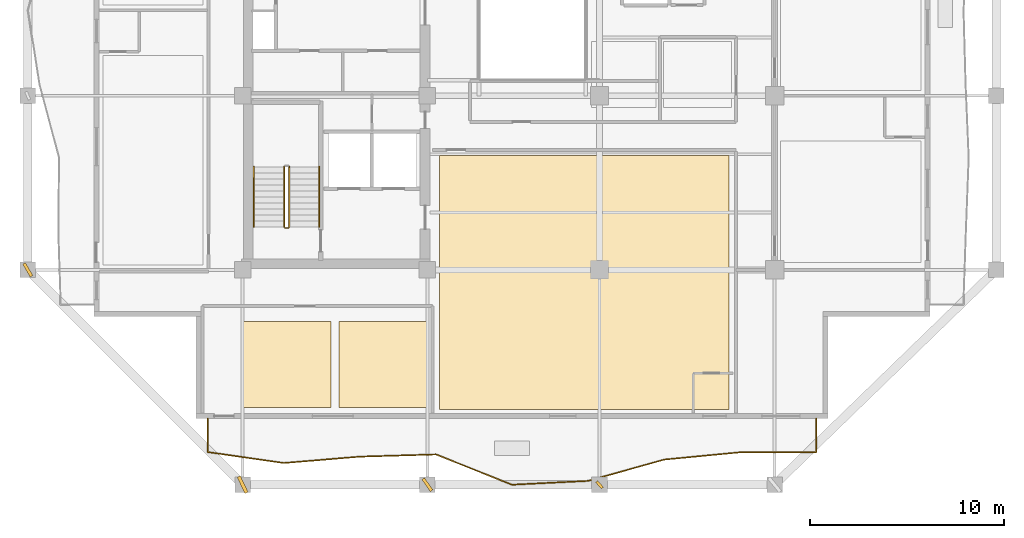
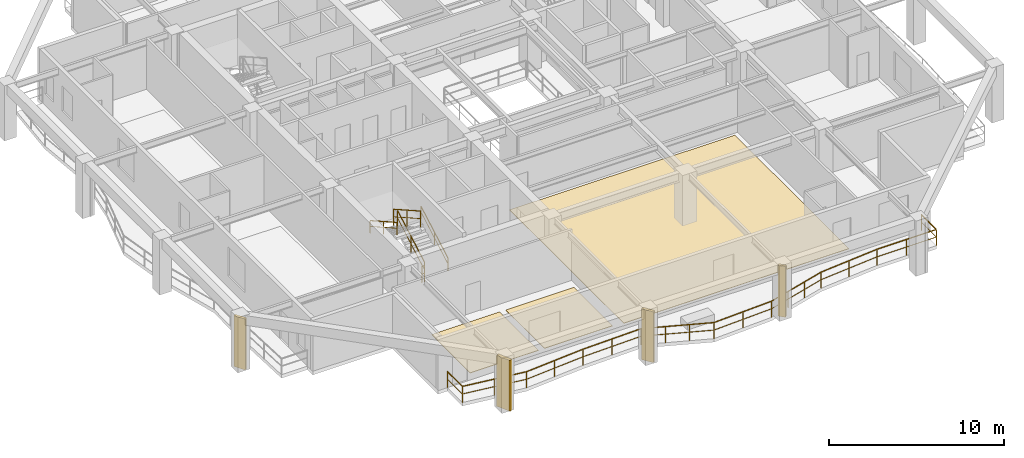
# One storey, part 7 of 12: 6 railings, 4 shading devices, 3 coverings.
"""IFC4 building model written with IfcOpenShell, lengths in metres."""

from ifc_helpers import new_model, si_unit, direction, frame, origin, origin_2d, place, context, subcontext, project, spatial, polyline, rectangle, outline, extrude, material, layer, layer_set, type_object, element, save


model = new_model("IFC4")

# Units and contexts
model_context = context("Model", 3, precision=1e-05, world=origin(), true_north=direction((0.0, 1.0)))
body_context = subcontext(model_context, "Body", "Model", "MODEL_VIEW")
ifc_project = project(units=[si_unit("LENGTHUNIT", "METRE"), si_unit("AREAUNIT", "SQUARE_METRE"), si_unit("VOLUMEUNIT", "CUBIC_METRE"), si_unit("PLANEANGLEUNIT", "RADIAN"), si_unit("MASSUNIT", "GRAM", prefix="KILO")], contexts=[model_context])

# Site, building, storey
site_placement = place(None, origin())
site = spatial("IfcSite", under=ifc_project, at=site_placement, CompositionType="ELEMENT")
building_placement = place(site_placement, origin())
building = spatial("IfcBuilding", under=site, at=building_placement, Name="Kundavana Baori Tower", CompositionType="ELEMENT")
storey_placement = place(building_placement, frame((0.0, 0.0, 200.25)))
storey = spatial("IfcBuildingStorey", under=building, at=storey_placement, Name="L49", CompositionType="ELEMENT", Elevation=200.25)

# Coverings
ifc_material_1 = material(Name="Honed Kota Stone and Terrazzo Flooring", Category="masonry")
ifc_layer = layer(ifc_material_1, 0.030029296875, Name="COV-INT-FLR")
ifc_layer_set = layer_set([ifc_layer], Name="Honed Kota Stone and Terrazzo Flooring")
covering_type = type_object("IfcCoveringType", Name="COV-INT-FLR", PredefinedType="FLOORING", material=ifc_layer_set)
covering_1_placement = place(storey_placement, origin())
element("IfcCovering", 1, at=covering_1_placement, inside=storey, type_object=covering_type, Name="L49 Room Finished Stone Flooring 3", PredefinedType="FLOORING", context=body_context, shape_type="SweptSolid", body=[
    extrude(outline(polyline([(25.580078125, 8.080078125), (40.4599609375, 8.080078125), (40.4599609375, 21.139892578125), (25.580078125, 21.139892578125), (25.580078125, 8.080078125)])), origin(), (0.0, 0.0, 1.0), 0.030029296875),
])
covering_2_placement = place(storey_placement, origin())
element("IfcCovering", 2, at=covering_2_placement, inside=storey, type_object=covering_type, Name="L49 Room Finished Stone Flooring 9", PredefinedType="FLOORING", context=body_context, shape_type="SweptSolid", body=[
    extrude(outline(polyline([(15.5, 8.179931640625), (20.0, 8.179931640625), (20.0, 12.60009765625), (15.5, 12.60009765625), (15.5, 8.179931640625)])), origin(), (0.0, 0.0, 1.0), 0.030029296875),
])
covering_3_placement = place(storey_placement, origin())
element("IfcCovering", 3, at=covering_3_placement, inside=storey, type_object=covering_type, Name="L49 Room Finished Stone Flooring 10", PredefinedType="FLOORING", context=body_context, shape_type="SweptSolid", body=[
    extrude(outline(polyline([(20.39990234375, 8.179931640625), (24.89990234375, 8.179931640625), (24.89990234375, 12.60009765625), (20.39990234375, 12.60009765625), (20.39990234375, 8.179931640625)])), origin(), (0.0, 0.0, 1.0), 0.030029296875),
])

# Railings
ifc_material_2 = material(Name="Architectural Patinated Bronze Metalwork")
railing_type_1 = type_object("IfcRailingType", Name="RL-BAL-1150", PredefinedType="BALUSTRADE", material=ifc_material_2)
railing_1_placement = place(storey_placement, frame((44.949951171875, 7.60009765625, 0.0)))
element("IfcRailing", 4, at=railing_1_placement, inside=storey, type_object=railing_type_1, Name="L49 Loggia Balcony Balustrade S", PredefinedType="BALUSTRADE", context=body_context, shape_type="SweptSolid", body=[
    extrude(rectangle(XDim=0.048095703125, YDim=0.048095703125, at=origin_2d()), frame((0.0, 0.0, 1.1259765625), z_axis=(0.0, -1.0, 0.0), x_axis=(1.0, 0.0, 0.0)), (0.0, 0.0, 1.0), 1.72021484375),
    extrude(rectangle(XDim=0.03125, YDim=0.03125, at=origin_2d()), frame((0.0, 0.0, 0.597900390625), z_axis=(0.0, -1.0, 0.0), x_axis=(1.0, 0.0, 0.0)), (0.0, 0.0, 1.0), 1.72021484375),
    extrude(rectangle(XDim=0.048095703125, YDim=0.048095703125, at=origin_2d()), frame((0.0, -1.72021484375, 1.1259765625), z_axis=(-0.999994529456, -0.003307727021, 0.0), x_axis=(0.003307727021, -0.999994529456, 0.0)), (0.0, 0.0, 1.0), 3.911865234375),
    extrude(rectangle(XDim=0.03125, YDim=0.03125, at=origin_2d()), frame((0.0, -1.72021484375, 0.597900390625), z_axis=(-0.999994529456, -0.003307727021, 0.0), x_axis=(0.003307727021, -0.999994529456, 0.0)), (0.0, 0.0, 1.0), 3.911865234375),
    extrude(rectangle(XDim=0.048095703125, YDim=0.048095703125, at=origin_2d()), frame((-3.911865234375, -1.733154296875, 1.1259765625), z_axis=(-0.995439474147, -0.095395247834, 0.0), x_axis=(0.095395247834, -0.995439474147, 0.0)), (0.0, 0.0, 1.0), 3.930908203125),
    extrude(rectangle(XDim=0.03125, YDim=0.03125, at=origin_2d()), frame((-3.911865234375, -1.733154296875, 0.597900390625), z_axis=(-0.995439474147, -0.095395247834, 0.0), x_axis=(0.095395247834, -0.995439474147, 0.0)), (0.0, 0.0, 1.0), 3.930908203125),
    extrude(rectangle(XDim=0.048095703125, YDim=0.048095703125, at=origin_2d()), frame((-7.824951171875, -2.108154296875, 1.1259765625), z_axis=(-0.962990853418, -0.26953407249, 0.0), x_axis=(0.26953407249, -0.962990853418, 0.0)), (0.0, 0.0, 1.0), 4.0625),
    extrude(rectangle(XDim=0.03125, YDim=0.03125, at=origin_2d()), frame((-7.824951171875, -2.108154296875, 0.597900390625), z_axis=(-0.962990853418, -0.26953407249, 0.0), x_axis=(0.26953407249, -0.962990853418, 0.0)), (0.0, 0.0, 1.0), 4.0625),
    extrude(rectangle(XDim=0.048095703125, YDim=0.048095703125, at=origin_2d()), frame((-11.737060546875, -3.203125, 1.1259765625), z_axis=(-0.998734716826, -0.050288819896, 0.0), x_axis=(0.050288819896, -0.998734716826, 0.0)), (0.0, 0.0, 1.0), 3.917724609375),
    extrude(rectangle(XDim=0.03125, YDim=0.03125, at=origin_2d()), frame((-11.737060546875, -3.203125, 0.597900390625), z_axis=(-0.998734716826, -0.050288819896, 0.0), x_axis=(0.050288819896, -0.998734716826, 0.0)), (0.0, 0.0, 1.0), 3.917724609375),
    extrude(rectangle(XDim=0.048095703125, YDim=0.048095703125, at=origin_2d()), frame((-15.64990234375, -3.400146484375, 1.1259765625), z_axis=(-0.929107153656, 0.369810623191, 0.0), x_axis=(-0.369810623191, -0.929107153656, 0.0)), (0.0, 0.0, 1.0), 4.210693359375),
    extrude(rectangle(XDim=0.03125, YDim=0.03125, at=origin_2d()), frame((-15.64990234375, -3.400146484375, 0.597900390625), z_axis=(-0.929107153656, 0.369810623191, 0.0), x_axis=(-0.369810623191, -0.929107153656, 0.0)), (0.0, 0.0, 1.0), 4.210693359375),
    extrude(rectangle(XDim=0.048095703125, YDim=0.048095703125, at=origin_2d()), frame((-19.56201171875, -1.843017578125, 1.1259765625), z_axis=(-0.999568454942, -0.029375225699, 0.0), x_axis=(0.029375225699, -0.999568454942, 0.0)), (0.0, 0.0, 1.0), 3.91455078125),
    extrude(rectangle(XDim=0.03125, YDim=0.03125, at=origin_2d()), frame((-19.56201171875, -1.843017578125, 0.597900390625), z_axis=(-0.999568454942, -0.029375225699, 0.0), x_axis=(0.029375225699, -0.999568454942, 0.0)), (0.0, 0.0, 1.0), 3.91455078125),
    extrude(rectangle(XDim=0.048095703125, YDim=0.048095703125, at=origin_2d()), frame((-23.474853515625, -1.9580078125, 1.1259765625), z_axis=(-0.996544042855, -0.08306606197, 0.0), x_axis=(0.08306606197, -0.996544042855, 0.0)), (0.0, 0.0, 1.0), 3.9267578125),
    extrude(rectangle(XDim=0.03125, YDim=0.03125, at=origin_2d()), frame((-23.474853515625, -1.9580078125, 0.597900390625), z_axis=(-0.996544042855, -0.08306606197, 0.0), x_axis=(0.08306606197, -0.996544042855, 0.0)), (0.0, 0.0, 1.0), 3.9267578125),
    extrude(rectangle(XDim=0.048095703125, YDim=0.048095703125, at=origin_2d()), frame((-27.387939453125, -2.2841796875, 1.1259765625), z_axis=(-0.989768326395, 0.142683776459, 0.0), x_axis=(-0.142683776459, -0.989768326395, 0.0)), (0.0, 0.0, 1.0), 3.95263671875),
    extrude(rectangle(XDim=0.03125, YDim=0.03125, at=origin_2d()), frame((-27.387939453125, -2.2841796875, 0.597900390625), z_axis=(-0.989768326395, 0.142683776459, 0.0), x_axis=(-0.142683776459, -0.989768326395, 0.0)), (0.0, 0.0, 1.0), 3.95263671875),
    extrude(rectangle(XDim=0.048095703125, YDim=0.048095703125, at=origin_2d()), frame((-31.300048828125, -1.72021484375, 1.1259765625), z_axis=(0.0, 1.0, 0.0), x_axis=(-1.0, 0.0, 0.0)), (0.0, 0.0, 1.0), 1.72021484375),
    extrude(rectangle(XDim=0.03125, YDim=0.03125, at=origin_2d()), frame((-31.300048828125, -1.72021484375, 0.597900390625), z_axis=(0.0, 1.0, 0.0), x_axis=(-1.0, 0.0, 0.0)), (0.0, 0.0, 1.0), 1.72021484375),
    extrude(rectangle(XDim=0.0419921875, YDim=0.0419921875, at=origin_2d()), origin(), (0.0, 0.0, 1.0), 1.101806640625),
    extrude(rectangle(XDim=0.0419921875, YDim=0.0419921875, at=origin_2d()), frame((0.0, -1.72021484375, 0.0)), (0.0, 0.0, 1.0), 1.101806640625),
    extrude(rectangle(XDim=0.0419921875, YDim=0.0419921875, at=origin_2d()), frame((-1.9560546875, -1.7265625, 0.0)), (0.0, 0.0, 1.0), 1.101806640625),
    extrude(rectangle(XDim=0.0419921875, YDim=0.0419921875, at=origin_2d()), frame((-3.911865234375, -1.733154296875, 0.0)), (0.0, 0.0, 1.0), 1.101806640625),
    extrude(rectangle(XDim=0.0419921875, YDim=0.0419921875, at=origin_2d()), frame((-5.868408203125, -1.920654296875, 0.0)), (0.0, 0.0, 1.0), 1.101806640625),
    extrude(rectangle(XDim=0.0419921875, YDim=0.0419921875, at=origin_2d()), frame((-7.824951171875, -2.108154296875, 0.0)), (0.0, 0.0, 1.0), 1.101806640625),
    extrude(rectangle(XDim=0.0419921875, YDim=0.0419921875, at=origin_2d()), frame((-9.12890625, -2.47314453125, 0.0)), (0.0, 0.0, 1.0), 1.101806640625),
    extrude(rectangle(XDim=0.0419921875, YDim=0.0419921875, at=origin_2d()), frame((-10.43310546875, -2.838134765625, 0.0)), (0.0, 0.0, 1.0), 1.101806640625),
    extrude(rectangle(XDim=0.0419921875, YDim=0.0419921875, at=origin_2d()), frame((-11.737060546875, -3.203125, 0.0)), (0.0, 0.0, 1.0), 1.101806640625),
    extrude(rectangle(XDim=0.0419921875, YDim=0.0419921875, at=origin_2d()), frame((-13.693359375, -3.3017578125, 0.0)), (0.0, 0.0, 1.0), 1.101806640625),
    extrude(rectangle(XDim=0.0419921875, YDim=0.0419921875, at=origin_2d()), frame((-15.64990234375, -3.400146484375, 0.0)), (0.0, 0.0, 1.0), 1.101806640625),
    extrude(rectangle(XDim=0.0419921875, YDim=0.0419921875, at=origin_2d()), frame((-16.953857421875, -2.881103515625, 0.0)), (0.0, 0.0, 1.0), 1.101806640625),
    extrude(rectangle(XDim=0.0419921875, YDim=0.0419921875, at=origin_2d()), frame((-18.258056640625, -2.362060546875, 0.0)), (0.0, 0.0, 1.0), 1.101806640625),
    extrude(rectangle(XDim=0.0419921875, YDim=0.0419921875, at=origin_2d()), frame((-19.56201171875, -1.843017578125, 0.0)), (0.0, 0.0, 1.0), 1.101806640625),
    extrude(rectangle(XDim=0.0419921875, YDim=0.0419921875, at=origin_2d()), frame((-21.5185546875, -1.900390625, 0.0)), (0.0, 0.0, 1.0), 1.101806640625),
    extrude(rectangle(XDim=0.0419921875, YDim=0.0419921875, at=origin_2d()), frame((-23.474853515625, -1.9580078125, 0.0)), (0.0, 0.0, 1.0), 1.101806640625),
    extrude(rectangle(XDim=0.0419921875, YDim=0.0419921875, at=origin_2d()), frame((-25.431396484375, -2.12109375, 0.0)), (0.0, 0.0, 1.0), 1.101806640625),
    extrude(rectangle(XDim=0.0419921875, YDim=0.0419921875, at=origin_2d()), frame((-27.387939453125, -2.2841796875, 0.0)), (0.0, 0.0, 1.0), 1.101806640625),
    extrude(rectangle(XDim=0.0419921875, YDim=0.0419921875, at=origin_2d()), frame((-29.343994140625, -2.002197265625, 0.0)), (0.0, 0.0, 1.0), 1.101806640625),
    extrude(rectangle(XDim=0.0419921875, YDim=0.0419921875, at=origin_2d()), frame((-31.300048828125, -1.72021484375, 0.0)), (0.0, 0.0, 1.0), 1.101806640625),
    extrude(rectangle(XDim=0.0419921875, YDim=0.0419921875, at=origin_2d()), frame((-31.300048828125, 0.0, 0.0)), (0.0, 0.0, 1.0), 1.101806640625),
])
ifc_material_3 = material(Name="Architectural Patinated Bronze Metalwork")
railing_type_2 = type_object("IfcRailingType", Name="RL-GRD-1150", PredefinedType="GUARDRAIL", material=ifc_material_3)
railing_2_placement = place(storey_placement, frame((17.840087890625, 17.449951171875, 0.175048828125)))
element("IfcRailing", 5, at=railing_2_placement, inside=storey, type_object=railing_type_2, Name="L49 ST1 stair guard 1", PredefinedType="GUARDRAIL", context=body_context, shape_type="SweptSolid", body=[
    extrude(rectangle(XDim=0.048095703125, YDim=0.048095703125, at=origin_2d()), frame((0.0, 0.0, 1.1259765625), z_axis=(0.0, 0.870830938388, 0.491582624537), x_axis=(-1.0, 0.0, 0.0)), (0.0, 0.0, 1.0), 3.559814453125),
    extrude(rectangle(XDim=0.03125, YDim=0.03125, at=origin_2d()), frame((0.0, 0.0, 0.597900390625), z_axis=(0.0, 0.870830938388, 0.491582624537), x_axis=(-1.0, 0.0, 0.0)), (0.0, 0.0, 1.0), 3.559814453125),
    extrude(rectangle(XDim=0.0419921875, YDim=0.0419921875, at=origin_2d()), origin(), (0.0, 0.0, 1.0), 1.101806640625),
    extrude(rectangle(XDim=0.0419921875, YDim=0.0419921875, at=origin_2d()), frame((0.0, 1.550048828125, 0.875)), (0.0, 0.0, 1.0), 1.101806640625),
    extrude(rectangle(XDim=0.0419921875, YDim=0.0419921875, at=origin_2d()), frame((0.0, 3.10009765625, 1.75)), (0.0, 0.0, 1.0), 1.101806640625),
])
railing_3_placement = place(storey_placement, frame((17.580078125, 20.550048828125, 2.10009765625)))
element("IfcRailing", 6, at=railing_3_placement, inside=storey, type_object=railing_type_2, Name="L49 ST1 stair guard 3", PredefinedType="GUARDRAIL", context=body_context, shape_type="SweptSolid", body=[
    extrude(rectangle(XDim=0.048095703125, YDim=0.048095703125, at=origin_2d()), frame((0.0, 0.0, 1.1259765625), z_axis=(0.0, -0.870830938388, 0.491582624537), x_axis=(1.0, 0.0, 0.0)), (0.0, 0.0, 1.0), 3.559814453125),
    extrude(rectangle(XDim=0.03125, YDim=0.03125, at=origin_2d()), frame((0.0, 0.0, 0.597900390625), z_axis=(0.0, -0.870830938388, 0.491582624537), x_axis=(1.0, 0.0, 0.0)), (0.0, 0.0, 1.0), 3.559814453125),
    extrude(rectangle(XDim=0.0419921875, YDim=0.0419921875, at=origin_2d()), origin(), (0.0, 0.0, 1.0), 1.101806640625),
    extrude(rectangle(XDim=0.0419921875, YDim=0.0419921875, at=origin_2d()), frame((0.0, -1.550048828125, 0.875)), (0.0, 0.0, 1.0), 1.101806640625),
    extrude(rectangle(XDim=0.0419921875, YDim=0.0419921875, at=origin_2d()), frame((0.0, -3.10009765625, 1.75)), (0.0, 0.0, 1.0), 1.101806640625),
])
railing_4_placement = place(storey_placement, frame((17.7900390625, 17.39990234375, 0.0)))
element("IfcRailing", 7, at=railing_4_placement, inside=storey, type_object=railing_type_2, Name="L49 ST1 stair guard 4", PredefinedType="GUARDRAIL", context=body_context, shape_type="SweptSolid", body=[
    extrude(rectangle(XDim=0.048095703125, YDim=0.048095703125, at=origin_2d()), frame((0.0, 0.0, 1.1259765625), z_axis=(-1.0, 0.0, 0.0), x_axis=(0.0, -1.0, 0.0)), (0.0, 0.0, 1.0), 0.16015625),
    extrude(rectangle(XDim=0.03125, YDim=0.03125, at=origin_2d()), frame((0.0, 0.0, 0.597900390625), z_axis=(-1.0, 0.0, 0.0), x_axis=(0.0, -1.0, 0.0)), (0.0, 0.0, 1.0), 0.16015625),
    extrude(rectangle(XDim=0.0419921875, YDim=0.0419921875, at=origin_2d()), origin(), (0.0, 0.0, 1.0), 1.101806640625),
    extrude(rectangle(XDim=0.0419921875, YDim=0.0419921875, at=origin_2d()), frame((-0.16015625, 0.0, 0.0)), (0.0, 0.0, 1.0), 1.101806640625),
])
ifc_material_4 = material(Name="Architectural Patinated Bronze Metalwork")
railing_type_3 = type_object("IfcRailingType", Name="RL-HND-920", PredefinedType="HANDRAIL", material=ifc_material_4)
railing_5_placement = place(storey_placement, frame((19.389892578125, 17.449951171875, 0.175048828125)))
element("IfcRailing", 8, at=railing_5_placement, inside=storey, type_object=railing_type_3, Name="L49 ST1 stair handrail 1", PredefinedType="HANDRAIL", context=body_context, shape_type="SweptSolid", body=[
    extrude(rectangle(XDim=0.048095703125, YDim=0.048095703125, at=origin_2d()), frame((0.0, 0.0, 0.8759765625), z_axis=(0.0, 0.870830938388, 0.491582624537), x_axis=(-1.0, 0.0, 0.0)), (0.0, 0.0, 1.0), 3.559814453125),
    extrude(rectangle(XDim=0.03125, YDim=0.03125, at=origin_2d()), frame((0.0, 0.0, 0.468017578125), z_axis=(0.0, 0.870830938388, 0.491582624537), x_axis=(-1.0, 0.0, 0.0)), (0.0, 0.0, 1.0), 3.559814453125),
    extrude(rectangle(XDim=0.0419921875, YDim=0.0419921875, at=origin_2d()), origin(), (0.0, 0.0, 1.0), 0.851806640625),
    extrude(rectangle(XDim=0.0419921875, YDim=0.0419921875, at=origin_2d()), frame((0.0, 1.550048828125, 0.875)), (0.0, 0.0, 1.0), 0.851806640625),
    extrude(rectangle(XDim=0.0419921875, YDim=0.0419921875, at=origin_2d()), frame((0.0, 3.10009765625, 1.75)), (0.0, 0.0, 1.0), 0.851806640625),
])
railing_6_placement = place(storey_placement, frame((16.030029296875, 20.550048828125, 2.10009765625)))
element("IfcRailing", 9, at=railing_6_placement, inside=storey, type_object=railing_type_3, Name="L49 ST1 stair handrail 2", PredefinedType="HANDRAIL", context=body_context, shape_type="SweptSolid", body=[
    extrude(rectangle(XDim=0.048095703125, YDim=0.048095703125, at=origin_2d()), frame((0.0, 0.0, 0.8759765625), z_axis=(0.0, -0.870830938388, 0.491582624537), x_axis=(1.0, 0.0, 0.0)), (0.0, 0.0, 1.0), 3.559814453125),
    extrude(rectangle(XDim=0.03125, YDim=0.03125, at=origin_2d()), frame((0.0, 0.0, 0.468017578125), z_axis=(0.0, -0.870830938388, 0.491582624537), x_axis=(1.0, 0.0, 0.0)), (0.0, 0.0, 1.0), 3.559814453125),
    extrude(rectangle(XDim=0.0419921875, YDim=0.0419921875, at=origin_2d()), origin(), (0.0, 0.0, 1.0), 0.851806640625),
    extrude(rectangle(XDim=0.0419921875, YDim=0.0419921875, at=origin_2d()), frame((0.0, -1.550048828125, 0.875)), (0.0, 0.0, 1.0), 0.851806640625),
    extrude(rectangle(XDim=0.0419921875, YDim=0.0419921875, at=origin_2d()), frame((0.0, -3.10009765625, 1.75)), (0.0, 0.0, 1.0), 0.851806640625),
])

# Shading devices
ifc_material_5 = material(Name="Red-Buff Dholpur Sandstone Cladding on Concrete C40/50", Category="masonry")
shading_device_type_1 = type_object("IfcShadingDeviceType", Name="SHD-FIN-750", PredefinedType="JALOUSIE", material=ifc_material_5)
for number, where, z_axis, x_axis, name in (
    (10, (24.949951171875, 4.199951171875, 0.0), (0.0, 0.0, 1.0), (0.819552276527, 0.573004420611, 0.0), "L49 Sweeping Dholpur Sandstone Facade Fin 2"),
    (11, (4.39990234375, 15.25, 0.0), (0.0, 0.0, 1.0), (0.862336977557, 0.506334807353, 0.0), "L49 Sweeping Dholpur Sandstone Facade Fin 5"),
):
    element("IfcShadingDevice", number, at=place(storey_placement, frame(where, z_axis=z_axis, x_axis=x_axis)), inside=storey, type_object=shading_device_type_1, Name=name, PredefinedType="JALOUSIE", context=body_context, shape_type="SweptSolid", body=[
        extrude(rectangle(XDim=0.159912109375, YDim=0.75, at=origin_2d()), origin(), (0.0, 0.0, 1.0), 3.550048828125),
    ])
ifc_material_6 = material(Name="Red-Buff Dholpur Sandstone Cladding on Concrete C40/50", Category="masonry")
shading_device_type_2 = type_object("IfcShadingDeviceType", Name="SHD-FIN-920", PredefinedType="JALOUSIE", material=ifc_material_6)
shading_device_1_placement = place(storey_placement, frame((15.449951171875, 4.199951171875, 0.0), z_axis=(0.0, 0.0, 1.0), x_axis=(0.902133959368, 0.431456045681, 0.0)))
element("IfcShadingDevice", 12, at=shading_device_1_placement, inside=storey, type_object=shading_device_type_2, Name="L49 Sweeping Dholpur Sandstone Facade Fin 1", PredefinedType="JALOUSIE", context=body_context, shape_type="SweptSolid", body=[
    extrude(rectangle(XDim=0.179931640625, YDim=0.919921875, at=origin_2d()), origin(), (0.0, 0.0, 1.0), 3.550048828125),
])
ifc_material_7 = material(Name="Architectural Patinated Bronze Metalwork")
shading_device_type_3 = type_object("IfcShadingDeviceType", Name="SHD-LOUV-450", PredefinedType="SHUTTER", material=ifc_material_7)
shading_device_2_placement = place(storey_placement, frame((33.800048828125, 4.199951171875, 0.0), z_axis=(0.0, 0.0, 1.0), x_axis=(0.747334400366, 0.664448112368, 0.0)))
element("IfcShadingDevice", 13, at=shading_device_2_placement, inside=storey, type_object=shading_device_type_3, Name="L49 Sweeping Dholpur Sandstone Facade Fin 3", PredefinedType="SHUTTER", context=body_context, shape_type="SweptSolid", body=[
    extrude(rectangle(XDim=0.139892578125, YDim=0.449951171875, at=origin_2d()), origin(), (0.0, 0.0, 1.0), 3.550048828125),
])

save(model, "model.ifc")
